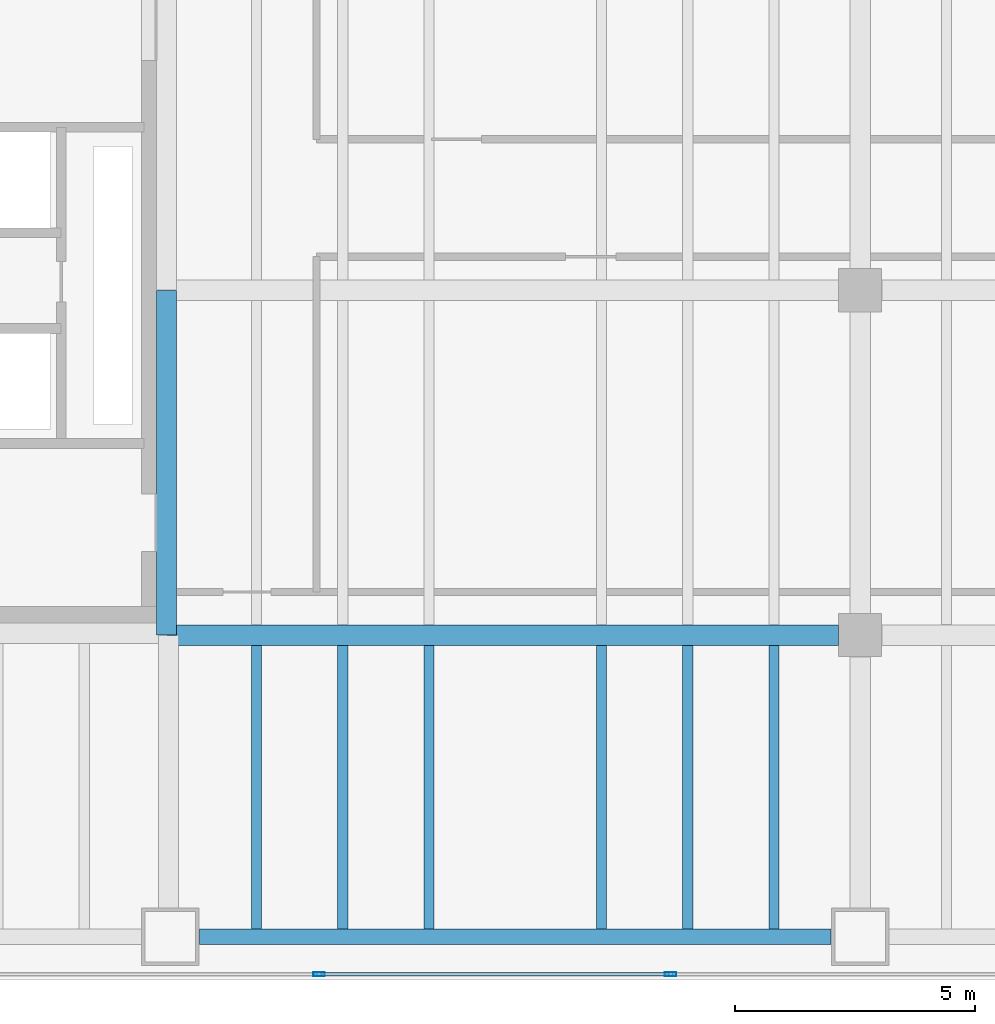
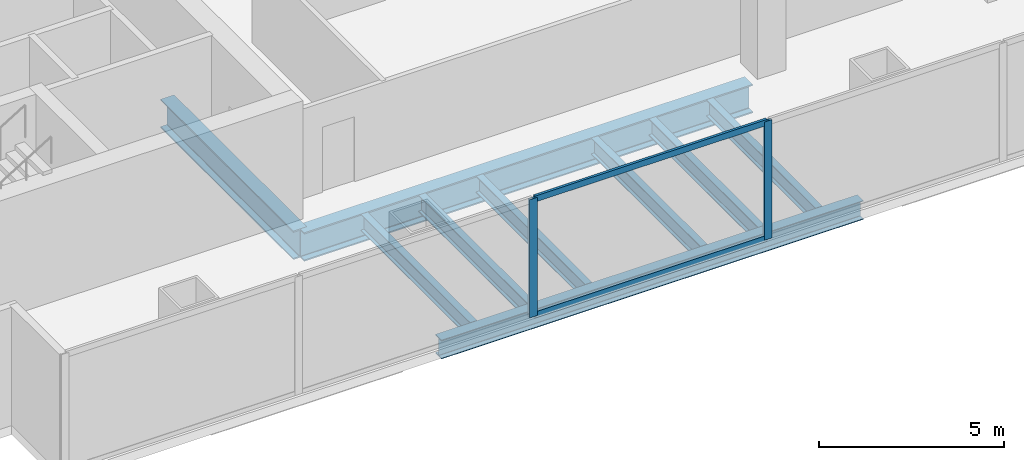
# One storey, part 3 of 29: 9 beams, 4 members, 1 element without a shape of its own.
"""IFC4 building model written with IfcOpenShell, lengths in metres."""

from ifc_helpers import new_model, si_unit, direction, frame, origin, origin_2d, place, context, subcontext, project, spatial, hollow_rectangle, i_section, extrude, material, material_profile, profile_set, type_object, element, aggregate, save


model = new_model("IFC4")

# Units and contexts
model_context = context("Model", 3, precision=1e-05, world=origin(), true_north=direction((0.0, 1.0)))
body_context = subcontext(model_context, "Body", "Model", "MODEL_VIEW")
ifc_project = project(units=[si_unit("LENGTHUNIT", "METRE"), si_unit("AREAUNIT", "SQUARE_METRE"), si_unit("VOLUMEUNIT", "CUBIC_METRE"), si_unit("PLANEANGLEUNIT", "RADIAN"), si_unit("MASSUNIT", "GRAM", prefix="KILO")], contexts=[model_context])

# Site, building, storey
site_placement = place(None, origin())
site = spatial("IfcSite", under=ifc_project, at=site_placement, CompositionType="ELEMENT")
building_placement = place(site_placement, origin())
building = spatial("IfcBuilding", under=site, at=building_placement, Name="Cobrela Telecom Tower", CompositionType="ELEMENT")
storey_placement = place(building_placement, frame((0.0, 0.0, 13.64990234375)))
storey = spatial("IfcBuildingStorey", under=building, at=storey_placement, Name="L03", CompositionType="ELEMENT", Elevation=13.64990234375)

# Beams
ifc_material_1 = material(Name="Steel ASTM A992 Grade 50", Category="steel")
ifc_material_profile_1 = material_profile(ifc_material_1, i_section(OverallWidth=0.424072265625, OverallDepth=0.947021484375, WebThickness=0.02392578125, FlangeThickness=0.042724609375, FilletRadius=0.02392578125, at=origin_2d()), Name="W36X302")
ifc_profile_set_1 = profile_set([ifc_material_profile_1], Name="Steel ASTM A992 Grade 50")
beam_type_1 = type_object("IfcBeamType", Name="BM-GIRD-01", PredefinedType="USERDEFINED", material=ifc_profile_set_1)
beam_1_placement = place(storey_placement, frame((14.324951171875, 7.199951171875, -0.7734375), z_axis=(1.0, 0.0, 0.0), x_axis=(0.0, 1.0, 0.0)))
element("IfcBeam", 1, at=beam_1_placement, inside=storey, type_object=beam_type_1, Name="L03 Primary Girder X12", ObjectType="GIRDER", PredefinedType="USERDEFINED", context=body_context, shape_type="SweptSolid", body=[
    extrude(i_section(OverallWidth=0.424072265625, OverallDepth=0.947021484375, WebThickness=0.02392578125, FlangeThickness=0.042724609375, FilletRadius=0.02392578125, at=origin_2d()), origin(), (0.0, 0.0, 1.0), 14.02001953125),
])
beam_2_placement = place(storey_placement, frame((14.320068359375, 7.205078125, -0.7734375), z_axis=(0.0, 1.0, 0.0), x_axis=(-1.0, 0.0, 0.0)))
element("IfcBeam", 2, at=beam_2_placement, inside=storey, type_object=beam_type_1, Name="L03 Primary Girder Y61", ObjectType="GIRDER", PredefinedType="USERDEFINED", context=body_context, shape_type="SweptSolid", body=[
    extrude(i_section(OverallWidth=0.424072265625, OverallDepth=0.947021484375, WebThickness=0.02392578125, FlangeThickness=0.042724609375, FilletRadius=0.02392578125, at=origin_2d()), origin(), (0.0, 0.0, 1.0), 7.18994140625),
])
ifc_material_profile_2 = material_profile(ifc_material_1, i_section(OverallWidth=0.212890625, OverallDepth=0.549072265625, WebThickness=0.0146484375, FlangeThickness=0.023681640625, FilletRadius=0.013916015625, at=origin_2d()), Name="W21X93")
ifc_profile_set_2 = profile_set([ifc_material_profile_2], Name="Steel ASTM A992 Grade 50")
beam_type_2 = type_object("IfcBeamType", Name="BM-JOIST-01", PredefinedType="JOIST", material=ifc_profile_set_2)
for number, where, z_axis, x_axis, name in (
    (3, (16.199951171875, 1.069091796875, -0.574462890625), (0.0, 1.0, 0.0), (-1.0, 0.0, 0.0), "L03 Secondary Composite Floor Beam J13"),
    (4, (18.0, 1.069091796875, -0.574462890625), (0.0, 1.0, 0.0), (-1.0, 0.0, 0.0), "L03 Secondary Composite Floor Beam J20"),
    (5, (19.800048828125, 1.069091796875, -0.574462890625), (0.0, 1.0, 0.0), (-1.0, 0.0, 0.0), "L03 Secondary Composite Floor Beam J27"),
    (6, (23.39990234375, 1.069091796875, -0.574462890625), (0.0, 1.0, 0.0), (-1.0, 0.0, 0.0), "L03 Secondary Composite Floor Beam J34"),
    (7, (25.199951171875, 1.069091796875, -0.574462890625), (0.0, 1.0, 0.0), (-1.0, 0.0, 0.0), "L03 Secondary Composite Floor Beam J40"),
    (8, (27.0, 1.069091796875, -0.574462890625), (0.0, 1.0, 0.0), (-1.0, 0.0, 0.0), "L03 Secondary Composite Floor Beam J45"),
):
    element("IfcBeam", number, at=place(storey_placement, frame(where, z_axis=z_axis, x_axis=x_axis)), inside=storey, type_object=beam_type_2, Name=name, PredefinedType="JOIST", context=body_context, shape_type="SweptSolid", body=[
        extrude(i_section(OverallWidth=0.212890625, OverallDepth=0.549072265625, WebThickness=0.0146484375, FlangeThickness=0.023681640625, FilletRadius=0.013916015625, at=origin_2d()), origin(), (0.0, 0.0, 1.0), 5.913818359375),
    ])
ifc_material_profile_3 = material_profile(ifc_material_1, i_section(OverallWidth=0.327880859375, OverallDepth=0.6220703125, WebThickness=0.015380859375, FlangeThickness=0.0244140625, FilletRadius=0.014892578125, at=origin_2d()), Name="W24X131")
ifc_profile_set_3 = profile_set([ifc_material_profile_3], Name="Steel ASTM A992 Grade 50")
beam_type_3 = type_object("IfcBeamType", Name="BM-SPAND-01", PredefinedType="SPANDREL", material=ifc_profile_set_3)
beam_3_placement = place(storey_placement, frame((15.0048828125, 0.89990234375, -0.61083984375), z_axis=(1.0, 0.0, 0.0), x_axis=(0.0, 1.0, 0.0)))
element("IfcBeam", 9, at=beam_3_placement, inside=storey, type_object=beam_type_3, Name="L03 Perimeter Spandrel X02", PredefinedType="SPANDREL", context=body_context, shape_type="SweptSolid", body=[
    extrude(i_section(OverallWidth=0.327880859375, OverallDepth=0.6220703125, WebThickness=0.015380859375, FlangeThickness=0.0244140625, FilletRadius=0.014892578125, at=origin_2d()), origin(), (0.0, 0.0, 1.0), 13.190185546875),
])

# Curtain wall, members
ifc_material_2 = material(Name="Anodized Bronze Aluminium 6063-T6", Category="aluminium")
curtain_wall_type = type_object("IfcCurtainWallType", Name="CW-SYS-CONC", PredefinedType="USERDEFINED", material=ifc_material_2)
curtain_wall_placement = place(storey_placement, origin())
curtain_wall = element("IfcCurtainWall", 10, at=curtain_wall_placement, inside=storey, type_object=curtain_wall_type, Name="L03 Unitised Bronze Curtain Wall 17", ObjectType="UNITISED CURTAIN WALL", PredefinedType="USERDEFINED")
ifc_material_profile_4 = material_profile(ifc_material_2, hollow_rectangle(XDim=0.080078125, YDim=0.239990234375, WallThickness=0.0048828125, at=origin_2d()), Name="ALU 80x240x5")
ifc_profile_set_4 = profile_set([ifc_material_profile_4], Name="Anodized Bronze Aluminium 6063-T6")
member_type_1 = type_object("IfcMemberType", Name="CW-SYS-CONC-MUL", PredefinedType="MULLION", material=ifc_profile_set_4)
member_1_placement = place(storey_placement, frame((24.845458984375, 0.1201171875, 0.0), z_axis=(0.0, 0.0, 1.0), x_axis=(0.0, -1.0, 0.0)))
member_1 = element("IfcMember", 11, at=member_1_placement, type_object=member_type_1, Name="CW-CONC mullion 9", PredefinedType="MULLION", context=body_context, shape_type="SweptSolid", body=[
    extrude(hollow_rectangle(XDim=0.080078125, YDim=0.239990234375, WallThickness=0.0048828125, at=origin_2d()), origin(), (0.0, 0.0, 1.0), 3.91015625),
])
member_2_placement = place(storey_placement, frame((17.503662109375, 0.1201171875, 0.0), z_axis=(0.0, 0.0, 1.0), x_axis=(0.0, -1.0, 0.0)))
member_2 = element("IfcMember", 12, at=member_2_placement, type_object=member_type_1, Name="CW-CONC mullion 10", PredefinedType="MULLION", context=body_context, shape_type="SweptSolid", body=[
    extrude(hollow_rectangle(XDim=0.080078125, YDim=0.239990234375, WallThickness=0.0048828125, at=origin_2d()), origin(), (0.0, 0.0, 1.0), 3.91015625),
])
ifc_material_profile_5 = material_profile(ifc_material_2, hollow_rectangle(XDim=0.080078125, YDim=0.199951171875, WallThickness=0.00390625, at=origin_2d()), Name="ALU 80x200x4")
ifc_profile_set_5 = profile_set([ifc_material_profile_5], Name="Anodized Bronze Aluminium 6063-T6")
member_type_2 = type_object("IfcMemberType", Name="CW-SYS-CONC-TRN", PredefinedType="USERDEFINED", material=ifc_profile_set_5)
member_3_placement = place(storey_placement, frame((24.805419921875, 0.1201171875, 0.0400390625), z_axis=(-1.0, 0.0, 0.0), x_axis=(0.0, -1.0, 0.0)))
member_3 = element("IfcMember", 13, at=member_3_placement, type_object=member_type_2, Name="CW-CONC transom 9.1", ObjectType="TRANSOM", PredefinedType="USERDEFINED", context=body_context, shape_type="SweptSolid", body=[
    extrude(hollow_rectangle(XDim=0.080078125, YDim=0.199951171875, WallThickness=0.00390625, at=origin_2d()), origin(), (0.0, 0.0, 1.0), 7.26171875),
])
member_4_placement = place(storey_placement, frame((24.805419921875, 0.1201171875, 3.8701171875), z_axis=(-1.0, 0.0, 0.0), x_axis=(0.0, -1.0, 0.0)))
member_4 = element("IfcMember", 14, at=member_4_placement, type_object=member_type_2, Name="CW-CONC transom 9.2", ObjectType="TRANSOM", PredefinedType="USERDEFINED", context=body_context, shape_type="SweptSolid", body=[
    extrude(hollow_rectangle(XDim=0.080078125, YDim=0.199951171875, WallThickness=0.00390625, at=origin_2d()), origin(), (0.0, 0.0, 1.0), 7.26171875),
])
aggregate(curtain_wall, [member_1, member_2, member_3, member_4])

save(model, "model.ifc")
